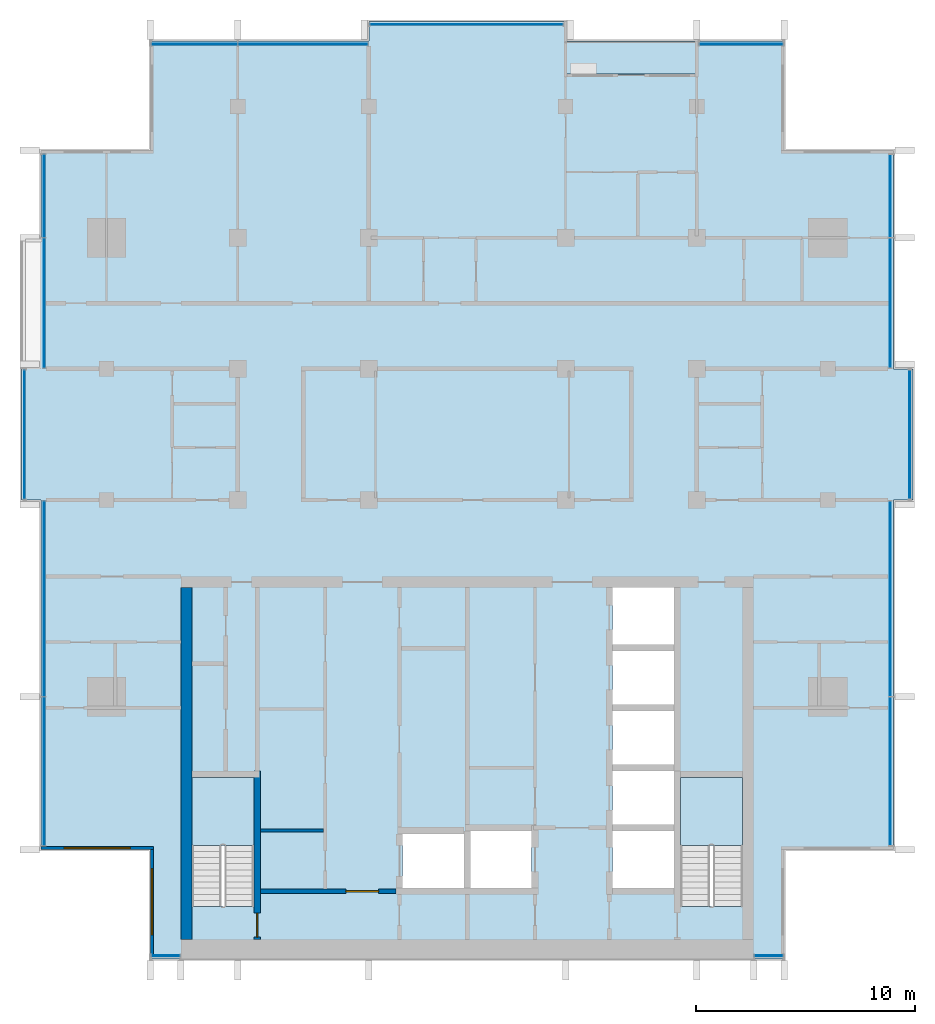
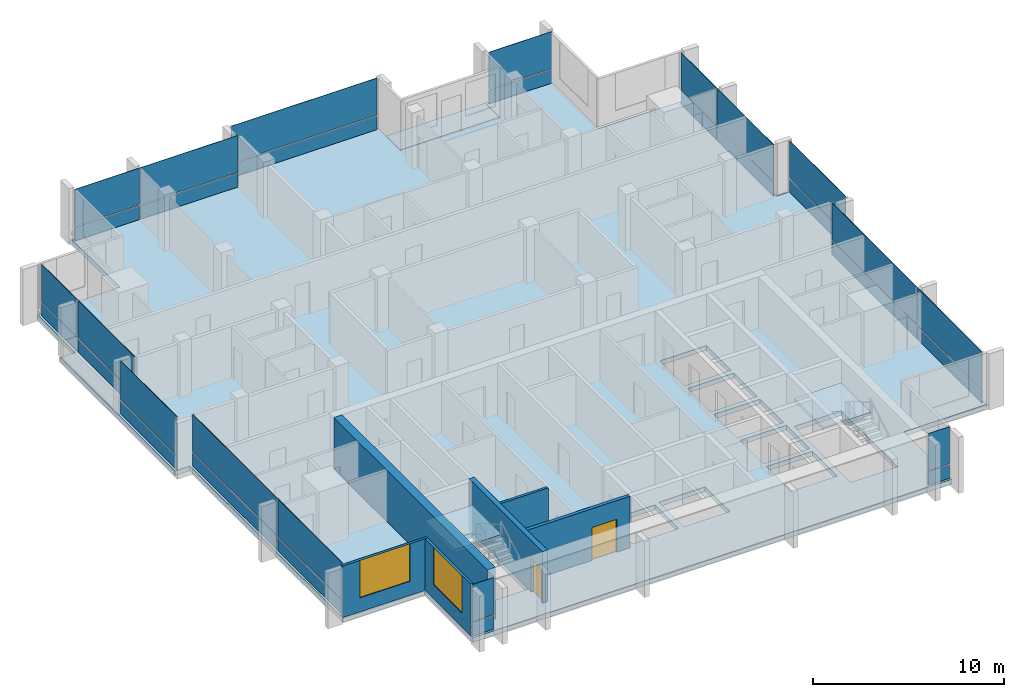
# One storey, part 6 of 16: 32 plates, 6 walls, 4 slabs, 2 doors, 2 windows, 4 openings, 13 elements without a shape of their own.
"""IFC4 building model written with IfcOpenShell, lengths in metres."""

from ifc_helpers import new_model, si_unit, direction, frame, frame_2d, origin, origin_2d, place, context, subcontext, project, spatial, polyline, rectangle, outline, extrude, material, layer, layer_set, type_object, element, fill, aggregate, save


model = new_model("IFC4")

# Units and contexts
model_context = context("Model", 3, precision=1e-05, world=origin(), true_north=direction((0.0, 1.0)))
body_context = subcontext(model_context, "Body", "Model", "MODEL_VIEW")
ifc_project = project(units=[si_unit("LENGTHUNIT", "METRE"), si_unit("AREAUNIT", "SQUARE_METRE"), si_unit("VOLUMEUNIT", "CUBIC_METRE"), si_unit("PLANEANGLEUNIT", "RADIAN"), si_unit("MASSUNIT", "GRAM", prefix="KILO")], contexts=[model_context])

# Site, building, storey
site_placement = place(None, origin())
site = spatial("IfcSite", under=ifc_project, at=site_placement, CompositionType="ELEMENT")
building_placement = place(site_placement, origin())
building = spatial("IfcBuilding", under=site, at=building_placement, Name="Finial Court Residences", CompositionType="ELEMENT")
storey_placement = place(building_placement, frame((0.0, 0.0, 262.699951171875)))
storey = spatial("IfcBuildingStorey", under=building, at=storey_placement, Name="L66", CompositionType="ELEMENT", Elevation=262.699951171875)

# Slab
ifc_material_1 = material(Name="Concrete C35/45", Category="concrete")
ifc_layer_1 = layer(ifc_material_1, 0.199951171875)
ifc_layer_set_1 = layer_set([ifc_layer_1], Name="Balcony slab, Concrete C35/45 200")
slab_type_1 = type_object("IfcSlabType", Name="Balcony slab, Concrete C35/45 200", PredefinedType="FLOOR", material=ifc_layer_set_1)
slab_1_placement = place(storey_placement, frame((0.0, 0.0, -0.199951171875)))
element("IfcSlab", 1, at=slab_1_placement, inside=storey, type_object=slab_type_1, Name="Balcony L66-N4", PredefinedType="FLOOR", context=body_context, shape_type="SweptSolid", body=[
    extrude(outline(polyline([(10.5, 15.0), (10.5, 16.5), (4.5, 16.5), (4.5, 15.0), (10.5, 15.0)])), origin(), (0.0, 0.0, 1.0), 0.199951171875),
])

# Curtain wall, plates
ifc_material_2 = material(Name="Bronze anodised aluminium", Category="aluminium")
curtain_wall_type = type_object("IfcCurtainWallType", Name="Unitised curtain wall, upper zones", PredefinedType="NOTDEFINED", material=ifc_material_2)
curtain_wall_1_placement = place(storey_placement, origin())
curtain_wall_1 = element("IfcCurtainWall", 2, at=curtain_wall_1_placement, inside=storey, type_object=curtain_wall_type, Name="E-L66-CW-N1", PredefinedType="NOTDEFINED")
ifc_layer_2 = layer(ifc_material_2, 0.035888671875)
ifc_layer_set_2 = layer_set([ifc_layer_2], Name="CW2 spandrel panel 36")
plate_type_1 = type_object("IfcPlateType", Name="CW2 spandrel panel 36", PredefinedType="CURTAIN_PANEL", material=ifc_layer_set_2)
plate_1_placement = place(storey_placement, frame((-12.485107421875, 16.35009765625, 0.0), z_axis=(0.0, 0.0, 1.0), x_axis=(1.0, 0.0, 0.0)))
plate_1 = element("IfcPlate", 3, at=plate_1_placement, type_object=plate_type_1, Name="CW2 spandrel 1.1", PredefinedType="CURTAIN_PANEL", context=body_context, shape_type="SweptSolid", body=[
    extrude(rectangle(XDim=3.909912109375, YDim=0.035888671875, at=origin_2d()), origin(), (0.0, 0.0, 1.0), 0.8701171875),
])
plate_2_placement = place(storey_placement, frame((-7.514892578125, 16.35009765625, 0.0), z_axis=(0.0, 0.0, 1.0), x_axis=(1.0, 0.0, 0.0)))
plate_2 = element("IfcPlate", 4, at=plate_2_placement, type_object=plate_type_1, Name="CW2 spandrel 2.1", PredefinedType="CURTAIN_PANEL", context=body_context, shape_type="SweptSolid", body=[
    extrude(rectangle(XDim=5.909912109375, YDim=0.035888671875, at=origin_2d()), origin(), (0.0, 0.0, 1.0), 0.8701171875),
])

# Curtain wall, plate
curtain_wall_2_placement = place(storey_placement, origin())
curtain_wall_2 = element("IfcCurtainWall", 5, at=curtain_wall_2_placement, inside=storey, type_object=curtain_wall_type, Name="E-L66-CW-N2", PredefinedType="NOTDEFINED")
plate_3_placement = place(storey_placement, frame((-0.03759765625, 17.25, 0.0), z_axis=(0.0, 0.0, 1.0), x_axis=(1.0, 0.0, 0.0)))
plate_3 = element("IfcPlate", 6, at=plate_3_placement, type_object=plate_type_1, Name="CW2 spandrel 1.1", PredefinedType="CURTAIN_PANEL", context=body_context, shape_type="SweptSolid", body=[
    extrude(rectangle(XDim=8.804931640625, YDim=0.035888671875, at=origin_2d()), origin(), (0.0, 0.0, 1.0), 0.8701171875),
])

curtain_wall_3_placement = place(storey_placement, origin())
curtain_wall_3 = element("IfcCurtainWall", 7, at=curtain_wall_3_placement, inside=storey, type_object=curtain_wall_type, Name="E-L66-CW-N3", PredefinedType="NOTDEFINED")
plate_4_placement = place(storey_placement, frame((12.53759765625, 16.35009765625, 0.0), z_axis=(0.0, 0.0, 1.0), x_axis=(1.0, 0.0, 0.0)))
plate_4 = element("IfcPlate", 8, at=plate_4_placement, type_object=plate_type_1, Name="CW2 spandrel 1.1", PredefinedType="CURTAIN_PANEL", context=body_context, shape_type="SweptSolid", body=[
    extrude(rectangle(XDim=3.804931640625, YDim=0.035888671875, at=origin_2d()), origin(), (0.0, 0.0, 1.0), 0.8701171875),
])

# Curtain wall, plates
curtain_wall_4_placement = place(storey_placement, origin())
curtain_wall_4 = element("IfcCurtainWall", 9, at=curtain_wall_4_placement, inside=storey, type_object=curtain_wall_type, Name="E-L66-CW-E4", PredefinedType="NOTDEFINED")
plate_5_placement = place(storey_placement, frame((19.35009765625, -16.909912109375, 0.0), z_axis=(0.0, 0.0, 1.0), x_axis=(0.0, 1.0, 0.0)))
plate_5 = element("IfcPlate", 10, at=plate_5_placement, type_object=plate_type_1, Name="CW2 spandrel 1.1", PredefinedType="CURTAIN_PANEL", context=body_context, shape_type="SweptSolid", body=[
    extrude(rectangle(XDim=6.760009765625, YDim=0.035888671875, at=origin_2d()), origin(), (0.0, 0.0, 1.0), 0.8701171875),
])
plate_6_placement = place(storey_placement, frame((19.35009765625, -9.014892578125, 0.0), z_axis=(0.0, 0.0, 1.0), x_axis=(0.0, 1.0, 0.0)))
plate_6 = element("IfcPlate", 11, at=plate_6_placement, type_object=plate_type_1, Name="CW2 spandrel 2.1", PredefinedType="CURTAIN_PANEL", context=body_context, shape_type="SweptSolid", body=[
    extrude(rectangle(XDim=8.909912109375, YDim=0.035888671875, at=origin_2d()), origin(), (0.0, 0.0, 1.0), 0.8701171875),
])

# Curtain wall, plate
curtain_wall_5_placement = place(storey_placement, origin())
curtain_wall_5 = element("IfcCurtainWall", 12, at=curtain_wall_5_placement, inside=storey, type_object=curtain_wall_type, Name="E-L66-CW-E5", PredefinedType="NOTDEFINED")
plate_7_placement = place(storey_placement, frame((20.25, -1.5, 0.0), z_axis=(0.0, 0.0, 1.0), x_axis=(0.0, 1.0, 0.0)))
plate_7 = element("IfcPlate", 13, at=plate_7_placement, type_object=plate_type_1, Name="CW2 spandrel 1.1", PredefinedType="CURTAIN_PANEL", context=body_context, shape_type="SweptSolid", body=[
    extrude(rectangle(XDim=5.8798828125, YDim=0.035888671875, at=origin_2d()), origin(), (0.0, 0.0, 1.0), 0.8701171875),
])

# Curtain wall, plates
curtain_wall_6_placement = place(storey_placement, origin())
curtain_wall_6 = element("IfcCurtainWall", 14, at=curtain_wall_6_placement, inside=storey, type_object=curtain_wall_type, Name="E-L66-CW-E6", PredefinedType="NOTDEFINED")
plate_8_placement = place(storey_placement, frame((19.35009765625, 4.514892578125, 0.0), z_axis=(0.0, 0.0, 1.0), x_axis=(0.0, 1.0, 0.0)))
plate_8 = element("IfcPlate", 15, at=plate_8_placement, type_object=plate_type_1, Name="CW2 spandrel 1.1", PredefinedType="CURTAIN_PANEL", context=body_context, shape_type="SweptSolid", body=[
    extrude(rectangle(XDim=5.909912109375, YDim=0.035888671875, at=origin_2d()), origin(), (0.0, 0.0, 1.0), 0.8701171875),
])
plate_9_placement = place(storey_placement, frame((19.35009765625, 9.409912109375, 0.0), z_axis=(0.0, 0.0, 1.0), x_axis=(0.0, 1.0, 0.0)))
plate_9 = element("IfcPlate", 16, at=plate_9_placement, type_object=plate_type_1, Name="CW2 spandrel 2.1", PredefinedType="CURTAIN_PANEL", context=body_context, shape_type="SweptSolid", body=[
    extrude(rectangle(XDim=3.760009765625, YDim=0.035888671875, at=origin_2d()), origin(), (0.0, 0.0, 1.0), 0.8701171875),
])

# Curtain wall, plate
curtain_wall_7_placement = place(storey_placement, origin())
curtain_wall_7 = element("IfcCurtainWall", 17, at=curtain_wall_7_placement, inside=storey, type_object=curtain_wall_type, Name="E-L66-CW-S7", PredefinedType="NOTDEFINED")
plate_10_placement = place(storey_placement, frame((-13.800048828125, -25.35009765625, 0.0), z_axis=(0.0, 0.0, 1.0), x_axis=(1.0, 0.0, 0.0)))
plate_10 = element("IfcPlate", 18, at=plate_10_placement, type_object=plate_type_1, Name="CW2 spandrel 1.1", PredefinedType="CURTAIN_PANEL", context=body_context, shape_type="SweptSolid", body=[
    extrude(rectangle(XDim=1.280029296875, YDim=0.035888671875, at=origin_2d()), origin(), (0.0, 0.0, 1.0), 0.8701171875),
])

curtain_wall_8_placement = place(storey_placement, origin())
curtain_wall_8 = element("IfcCurtainWall", 19, at=curtain_wall_8_placement, inside=storey, type_object=curtain_wall_type, Name="E-L66-CW-S8", PredefinedType="NOTDEFINED")
plate_11_placement = place(storey_placement, frame((13.800048828125, -25.35009765625, 0.0), z_axis=(0.0, 0.0, 1.0), x_axis=(1.0, 0.0, 0.0)))
plate_11 = element("IfcPlate", 20, at=plate_11_placement, type_object=plate_type_1, Name="CW2 spandrel 1.1", PredefinedType="CURTAIN_PANEL", context=body_context, shape_type="SweptSolid", body=[
    extrude(rectangle(XDim=1.280029296875, YDim=0.035888671875, at=origin_2d()), origin(), (0.0, 0.0, 1.0), 0.8701171875),
])

# Curtain wall, plates
curtain_wall_9_placement = place(storey_placement, origin())
curtain_wall_9 = element("IfcCurtainWall", 21, at=curtain_wall_9_placement, inside=storey, type_object=curtain_wall_type, Name="E-L66-CW-W9", PredefinedType="NOTDEFINED")
plate_12_placement = place(storey_placement, frame((-19.35009765625, -16.909912109375, 0.0), z_axis=(0.0, 0.0, 1.0), x_axis=(0.0, 1.0, 0.0)))
plate_12 = element("IfcPlate", 22, at=plate_12_placement, type_object=plate_type_1, Name="CW2 spandrel 1.1", PredefinedType="CURTAIN_PANEL", context=body_context, shape_type="SweptSolid", body=[
    extrude(rectangle(XDim=6.760009765625, YDim=0.035888671875, at=origin_2d()), origin(), (0.0, 0.0, 1.0), 0.8701171875),
])
plate_13_placement = place(storey_placement, frame((-19.35009765625, -9.014892578125, 0.0), z_axis=(0.0, 0.0, 1.0), x_axis=(0.0, 1.0, 0.0)))
plate_13 = element("IfcPlate", 23, at=plate_13_placement, type_object=plate_type_1, Name="CW2 spandrel 2.1", PredefinedType="CURTAIN_PANEL", context=body_context, shape_type="SweptSolid", body=[
    extrude(rectangle(XDim=8.909912109375, YDim=0.035888671875, at=origin_2d()), origin(), (0.0, 0.0, 1.0), 0.8701171875),
])

# Curtain wall, plate
curtain_wall_10_placement = place(storey_placement, origin())
curtain_wall_10 = element("IfcCurtainWall", 24, at=curtain_wall_10_placement, inside=storey, type_object=curtain_wall_type, Name="E-L66-CW-W10", PredefinedType="NOTDEFINED")
plate_14_placement = place(storey_placement, frame((-20.25, -1.5, 0.0), z_axis=(0.0, 0.0, 1.0), x_axis=(0.0, 1.0, 0.0)))
plate_14 = element("IfcPlate", 25, at=plate_14_placement, type_object=plate_type_1, Name="CW2 spandrel 1.1", PredefinedType="CURTAIN_PANEL", context=body_context, shape_type="SweptSolid", body=[
    extrude(rectangle(XDim=5.8798828125, YDim=0.035888671875, at=origin_2d()), origin(), (0.0, 0.0, 1.0), 0.8701171875),
])

# Curtain wall, plates
curtain_wall_11_placement = place(storey_placement, origin())
curtain_wall_11 = element("IfcCurtainWall", 26, at=curtain_wall_11_placement, inside=storey, type_object=curtain_wall_type, Name="E-L66-CW-W11", PredefinedType="NOTDEFINED")
plate_15_placement = place(storey_placement, frame((-19.35009765625, 4.514892578125, 0.0), z_axis=(0.0, 0.0, 1.0), x_axis=(0.0, 1.0, 0.0)))
plate_15 = element("IfcPlate", 27, at=plate_15_placement, type_object=plate_type_1, Name="CW2 spandrel 1.1", PredefinedType="CURTAIN_PANEL", context=body_context, shape_type="SweptSolid", body=[
    extrude(rectangle(XDim=5.909912109375, YDim=0.035888671875, at=origin_2d()), origin(), (0.0, 0.0, 1.0), 0.8701171875),
])
plate_16_placement = place(storey_placement, frame((-19.35009765625, 9.409912109375, 0.0), z_axis=(0.0, 0.0, 1.0), x_axis=(0.0, 1.0, 0.0)))
plate_16 = element("IfcPlate", 28, at=plate_16_placement, type_object=plate_type_1, Name="CW2 spandrel 2.1", PredefinedType="CURTAIN_PANEL", context=body_context, shape_type="SweptSolid", body=[
    extrude(rectangle(XDim=3.760009765625, YDim=0.035888671875, at=origin_2d()), origin(), (0.0, 0.0, 1.0), 0.8701171875),
])

# Plate
ifc_material_3 = material(Name="Clear low-e glass", Category="glass")
ifc_layer_3 = layer(ifc_material_3, 0.030029296875)
ifc_layer_set_3 = layer_set([ifc_layer_3], Name="CW2 vision glass 30")
plate_type_2 = type_object("IfcPlateType", Name="CW2 vision glass 30", PredefinedType="CURTAIN_PANEL", material=ifc_layer_set_3)
plate_17_placement = place(storey_placement, frame((-12.485107421875, 16.35009765625, 0.929931640625), z_axis=(0.0, 0.0, 1.0), x_axis=(1.0, 0.0, 0.0)))
plate_17 = element("IfcPlate", 29, at=plate_17_placement, type_object=plate_type_2, Name="CW2 glass 1.2", PredefinedType="CURTAIN_PANEL", context=body_context, shape_type="SweptSolid", body=[
    extrude(rectangle(XDim=3.909912109375, YDim=0.030029296875, at=origin_2d()), origin(), (0.0, 0.0, 1.0), 2.3701171875),
])

plate_18_placement = place(storey_placement, frame((-7.514892578125, 16.35009765625, 0.929931640625), z_axis=(0.0, 0.0, 1.0), x_axis=(1.0, 0.0, 0.0)))
plate_18 = element("IfcPlate", 30, at=plate_18_placement, type_object=plate_type_2, Name="CW2 glass 2.2", PredefinedType="CURTAIN_PANEL", context=body_context, shape_type="SweptSolid", body=[
    extrude(rectangle(XDim=5.909912109375, YDim=0.030029296875, at=origin_2d()), origin(), (0.0, 0.0, 1.0), 2.3701171875),
])

aggregate(curtain_wall_1, [plate_1, plate_17, plate_2, plate_18])

plate_19_placement = place(storey_placement, frame((-0.03759765625, 17.25, 0.929931640625), z_axis=(0.0, 0.0, 1.0), x_axis=(1.0, 0.0, 0.0)))
plate_19 = element("IfcPlate", 31, at=plate_19_placement, type_object=plate_type_2, Name="CW2 glass 1.2", PredefinedType="CURTAIN_PANEL", context=body_context, shape_type="SweptSolid", body=[
    extrude(rectangle(XDim=8.804931640625, YDim=0.030029296875, at=origin_2d()), origin(), (0.0, 0.0, 1.0), 2.3701171875),
])

aggregate(curtain_wall_2, [plate_3, plate_19])

plate_20_placement = place(storey_placement, frame((12.53759765625, 16.35009765625, 0.929931640625), z_axis=(0.0, 0.0, 1.0), x_axis=(1.0, 0.0, 0.0)))
plate_20 = element("IfcPlate", 32, at=plate_20_placement, type_object=plate_type_2, Name="CW2 glass 1.2", PredefinedType="CURTAIN_PANEL", context=body_context, shape_type="SweptSolid", body=[
    extrude(rectangle(XDim=3.804931640625, YDim=0.030029296875, at=origin_2d()), origin(), (0.0, 0.0, 1.0), 2.3701171875),
])

aggregate(curtain_wall_3, [plate_4, plate_20])

plate_21_placement = place(storey_placement, frame((19.35009765625, -16.909912109375, 0.929931640625), z_axis=(0.0, 0.0, 1.0), x_axis=(0.0, 1.0, 0.0)))
plate_21 = element("IfcPlate", 33, at=plate_21_placement, type_object=plate_type_2, Name="CW2 glass 1.2", PredefinedType="CURTAIN_PANEL", context=body_context, shape_type="SweptSolid", body=[
    extrude(rectangle(XDim=6.760009765625, YDim=0.030029296875, at=origin_2d()), origin(), (0.0, 0.0, 1.0), 2.3701171875),
])

plate_22_placement = place(storey_placement, frame((19.35009765625, -9.014892578125, 0.929931640625), z_axis=(0.0, 0.0, 1.0), x_axis=(0.0, 1.0, 0.0)))
plate_22 = element("IfcPlate", 34, at=plate_22_placement, type_object=plate_type_2, Name="CW2 glass 2.2", PredefinedType="CURTAIN_PANEL", context=body_context, shape_type="SweptSolid", body=[
    extrude(rectangle(XDim=8.909912109375, YDim=0.030029296875, at=origin_2d()), origin(), (0.0, 0.0, 1.0), 2.3701171875),
])

aggregate(curtain_wall_4, [plate_5, plate_21, plate_6, plate_22])

plate_23_placement = place(storey_placement, frame((20.25, -1.5, 0.929931640625), z_axis=(0.0, 0.0, 1.0), x_axis=(0.0, 1.0, 0.0)))
plate_23 = element("IfcPlate", 35, at=plate_23_placement, type_object=plate_type_2, Name="CW2 glass 1.2", PredefinedType="CURTAIN_PANEL", context=body_context, shape_type="SweptSolid", body=[
    extrude(rectangle(XDim=5.8798828125, YDim=0.030029296875, at=origin_2d()), origin(), (0.0, 0.0, 1.0), 2.3701171875),
])

aggregate(curtain_wall_5, [plate_7, plate_23])

plate_24_placement = place(storey_placement, frame((19.35009765625, 4.514892578125, 0.929931640625), z_axis=(0.0, 0.0, 1.0), x_axis=(0.0, 1.0, 0.0)))
plate_24 = element("IfcPlate", 36, at=plate_24_placement, type_object=plate_type_2, Name="CW2 glass 1.2", PredefinedType="CURTAIN_PANEL", context=body_context, shape_type="SweptSolid", body=[
    extrude(rectangle(XDim=5.909912109375, YDim=0.030029296875, at=origin_2d()), origin(), (0.0, 0.0, 1.0), 2.3701171875),
])

plate_25_placement = place(storey_placement, frame((19.35009765625, 9.409912109375, 0.929931640625), z_axis=(0.0, 0.0, 1.0), x_axis=(0.0, 1.0, 0.0)))
plate_25 = element("IfcPlate", 37, at=plate_25_placement, type_object=plate_type_2, Name="CW2 glass 2.2", PredefinedType="CURTAIN_PANEL", context=body_context, shape_type="SweptSolid", body=[
    extrude(rectangle(XDim=3.760009765625, YDim=0.030029296875, at=origin_2d()), origin(), (0.0, 0.0, 1.0), 2.3701171875),
])

aggregate(curtain_wall_6, [plate_8, plate_24, plate_9, plate_25])

plate_26_placement = place(storey_placement, frame((-13.800048828125, -25.35009765625, 0.929931640625), z_axis=(0.0, 0.0, 1.0), x_axis=(1.0, 0.0, 0.0)))
plate_26 = element("IfcPlate", 38, at=plate_26_placement, type_object=plate_type_2, Name="CW2 glass 1.2", PredefinedType="CURTAIN_PANEL", context=body_context, shape_type="SweptSolid", body=[
    extrude(rectangle(XDim=1.280029296875, YDim=0.030029296875, at=origin_2d()), origin(), (0.0, 0.0, 1.0), 2.3701171875),
])

aggregate(curtain_wall_7, [plate_10, plate_26])

plate_27_placement = place(storey_placement, frame((13.800048828125, -25.35009765625, 0.929931640625), z_axis=(0.0, 0.0, 1.0), x_axis=(1.0, 0.0, 0.0)))
plate_27 = element("IfcPlate", 39, at=plate_27_placement, type_object=plate_type_2, Name="CW2 glass 1.2", PredefinedType="CURTAIN_PANEL", context=body_context, shape_type="SweptSolid", body=[
    extrude(rectangle(XDim=1.280029296875, YDim=0.030029296875, at=origin_2d()), origin(), (0.0, 0.0, 1.0), 2.3701171875),
])

aggregate(curtain_wall_8, [plate_11, plate_27])

plate_28_placement = place(storey_placement, frame((-19.35009765625, -16.909912109375, 0.929931640625), z_axis=(0.0, 0.0, 1.0), x_axis=(0.0, 1.0, 0.0)))
plate_28 = element("IfcPlate", 40, at=plate_28_placement, type_object=plate_type_2, Name="CW2 glass 1.2", PredefinedType="CURTAIN_PANEL", context=body_context, shape_type="SweptSolid", body=[
    extrude(rectangle(XDim=6.760009765625, YDim=0.030029296875, at=origin_2d()), origin(), (0.0, 0.0, 1.0), 2.3701171875),
])

plate_29_placement = place(storey_placement, frame((-19.35009765625, -9.014892578125, 0.929931640625), z_axis=(0.0, 0.0, 1.0), x_axis=(0.0, 1.0, 0.0)))
plate_29 = element("IfcPlate", 41, at=plate_29_placement, type_object=plate_type_2, Name="CW2 glass 2.2", PredefinedType="CURTAIN_PANEL", context=body_context, shape_type="SweptSolid", body=[
    extrude(rectangle(XDim=8.909912109375, YDim=0.030029296875, at=origin_2d()), origin(), (0.0, 0.0, 1.0), 2.3701171875),
])

aggregate(curtain_wall_9, [plate_12, plate_28, plate_13, plate_29])

plate_30_placement = place(storey_placement, frame((-20.25, -1.5, 0.93017578125), z_axis=(0.0, 0.0, 1.0), x_axis=(0.0, 1.0, 0.0)))
plate_30 = element("IfcPlate", 42, at=plate_30_placement, type_object=plate_type_2, Name="CW2 glass 1.2", PredefinedType="CURTAIN_PANEL", context=body_context, shape_type="SweptSolid", body=[
    extrude(rectangle(XDim=5.8798828125, YDim=0.030029296875, at=origin_2d()), origin(), (0.0, 0.0, 1.0), 2.469970703125),
])

aggregate(curtain_wall_10, [plate_14, plate_30])

plate_31_placement = place(storey_placement, frame((-19.35009765625, 4.514892578125, 0.929931640625), z_axis=(0.0, 0.0, 1.0), x_axis=(0.0, 1.0, 0.0)))
plate_31 = element("IfcPlate", 43, at=plate_31_placement, type_object=plate_type_2, Name="CW2 glass 1.2", PredefinedType="CURTAIN_PANEL", context=body_context, shape_type="SweptSolid", body=[
    extrude(rectangle(XDim=5.909912109375, YDim=0.030029296875, at=origin_2d()), origin(), (0.0, 0.0, 1.0), 2.3701171875),
])

plate_32_placement = place(storey_placement, frame((-19.35009765625, 9.409912109375, 0.929931640625), z_axis=(0.0, 0.0, 1.0), x_axis=(0.0, 1.0, 0.0)))
plate_32 = element("IfcPlate", 44, at=plate_32_placement, type_object=plate_type_2, Name="CW2 glass 2.2", PredefinedType="CURTAIN_PANEL", context=body_context, shape_type="SweptSolid", body=[
    extrude(rectangle(XDim=3.760009765625, YDim=0.030029296875, at=origin_2d()), origin(), (0.0, 0.0, 1.0), 2.3701171875),
])

aggregate(curtain_wall_11, [plate_15, plate_31, plate_16, plate_32])

# Stair, slab
ifc_material_4 = material(Name="Concrete C50/60", Category="concrete")
stair_type = type_object("IfcStairType", Name="Exit stair 22 risers of 163.6 mm", PredefinedType="HALF_TURN_STAIR", material=ifc_material_4)
stair_1_placement = place(storey_placement, origin())
stair_1 = element("IfcStair", 45, at=stair_1_placement, inside=storey, type_object=stair_type, Name="L66 Exit stair ST-1", PredefinedType="HALF_TURN_STAIR")
ifc_layer_4 = layer(ifc_material_4, 0.199951171875)
ifc_layer_set_4 = layer_set([ifc_layer_4], Name="Exit stair landing")
slab_type_2 = type_object("IfcSlabType", Name="Exit stair landing", PredefinedType="LANDING", material=ifc_layer_set_4)
slab_2_placement = place(storey_placement, frame((0.0, 0.0, 1.60009765625)))
slab_2 = element("IfcSlab", 46, at=slab_2_placement, type_object=slab_type_2, Name="ST-1 landing 1", PredefinedType="LANDING", context=body_context, shape_type="SweptSolid", body=[
    extrude(outline(polyline([(-9.75, -20.300048828125), (-9.75, -17.199951171875), (-12.60009765625, -17.199951171875), (-12.60009765625, -20.300048828125), (-9.75, -20.300048828125)])), origin(), (0.0, 0.0, 1.0), 0.199951171875),
])
aggregate(stair_1, [slab_2])

stair_2_placement = place(storey_placement, origin())
stair_2 = element("IfcStair", 47, at=stair_2_placement, inside=storey, type_object=stair_type, Name="L66 Exit stair ST-2", PredefinedType="HALF_TURN_STAIR")
slab_3_placement = place(storey_placement, frame((0.0, 0.0, 1.60009765625)))
slab_3 = element("IfcSlab", 48, at=slab_3_placement, type_object=slab_type_2, Name="ST-2 landing 1", PredefinedType="LANDING", context=body_context, shape_type="SweptSolid", body=[
    extrude(outline(polyline([(12.60009765625, -20.300048828125), (12.60009765625, -17.199951171875), (9.75, -17.199951171875), (9.75, -20.300048828125), (12.60009765625, -20.300048828125)])), origin(), (0.0, 0.0, 1.0), 0.199951171875),
])
aggregate(stair_2, [slab_3])

# Slab
ifc_material_5 = material(Name="Concrete C40/50", Category="concrete")
ifc_layer_5 = layer(ifc_material_5, 0.300048828125)
ifc_layer_set_5 = layer_set([ifc_layer_5], Name="Flat plate slab 300 Concrete C40/50")
slab_type_3 = type_object("IfcSlabType", Name="Flat plate slab 300 Concrete C40/50", PredefinedType="FLOOR", material=ifc_layer_set_5)
slab_4_placement = place(storey_placement, frame((0.0, 0.0, -0.300048828125)))
element("IfcSlab", 49, at=slab_4_placement, inside=storey, type_object=slab_type_3, Name="S:SLAB:L66", PredefinedType="FLOOR", context=body_context, shape_type="SweptSolid", body=[
    extrude(outline(polyline([(-20.39990234375, -4.5), (-20.39990234375, 1.5), (-20.39990234375, 7.5), (-19.5, 7.5), (-19.5, 11.5), (-14.5, 11.5), (-14.5, 16.5), (-4.5, 16.5), (-4.5, 17.39990234375), (4.5, 17.39990234375), (4.5, 16.5), (4.5, 15.0), (10.5, 15.0), (10.5, 16.5), (14.5, 16.5), (14.5, 11.5), (19.5, 11.5), (19.5, 1.5), (20.39990234375, 1.5), (20.39990234375, -4.5), (19.5, -4.5), (19.5, -20.5), (14.5, -20.5), (14.5, -25.5), (-14.5, -25.5), (-14.5, -20.5), (-19.5, -20.5), (-19.5, -4.5), (-20.39990234375, -4.5)]), holes=[polyline([(-0.14990234375, -19.77001953125), (-2.949951171875, -19.77001953125), (-2.949951171875, -22.25), (-0.14990234375, -22.25), (-0.14990234375, -19.77001953125)]), polyline([(2.949951171875, -19.64990234375), (0.14990234375, -19.64990234375), (0.14990234375, -22.25), (2.949951171875, -22.25), (2.949951171875, -19.64990234375)]), polyline([(9.449951171875, -19.64990234375), (6.64990234375, -19.64990234375), (6.64990234375, -22.25), (9.449951171875, -22.25), (9.449951171875, -19.64990234375)]), polyline([(-12.60009765625, -17.199951171875), (-12.60009765625, -23.09912109375), (-9.75, -23.09912109375), (-9.75, -17.199951171875), (-12.60009765625, -17.199951171875)]), polyline([(9.75, -17.199951171875), (9.75, -23.09912109375), (12.60009765625, -23.09912109375), (12.60009765625, -17.199951171875), (9.75, -17.199951171875)]), polyline([(9.449951171875, -16.89990234375), (6.64990234375, -16.89990234375), (6.64990234375, -19.35009765625), (9.449951171875, -19.35009765625), (9.449951171875, -16.89990234375)]), polyline([(9.449951171875, -14.14990234375), (6.64990234375, -14.14990234375), (6.64990234375, -16.60009765625), (9.449951171875, -16.60009765625), (9.449951171875, -14.14990234375)]), polyline([(9.449951171875, -13.85009765625), (9.449951171875, -11.39990234375), (6.64990234375, -11.39990234375), (6.64990234375, -13.85009765625), (9.449951171875, -13.85009765625)]), polyline([(9.449951171875, -11.10009765625), (9.449951171875, -8.5), (6.64990234375, -8.5), (6.64990234375, -11.10009765625), (9.449951171875, -11.10009765625)])]), origin(), (0.0, 0.0, 1.0), 0.300048828125),
])

# Walls
ifc_layer_6 = layer(ifc_material_4, 0.5)
ifc_layer_set_6 = layer_set([ifc_layer_6], Name="Core outer wall 500 Concrete C50/60")
wall_type_1 = type_object("IfcWallType", Name="Core outer wall 500 Concrete C50/60", PredefinedType="SHEAR", material=ifc_layer_set_6)
wall_1_placement = place(storey_placement, frame((-12.85009765625, -24.60009765625, 0.0), z_axis=(0.0, 0.0, 1.0), x_axis=(0.0, 1.0, 0.0)))
element("IfcWall", 50, at=wall_1_placement, inside=storey, type_object=wall_type_1, Name="Core outer wall L66-03", PredefinedType="SHEAR", context=body_context, shape_type="SweptSolid", body=[
    extrude(rectangle(XDim=16.10009765625, YDim=0.5, at=frame_2d((8.050048828125, 0.0))), origin(), (0.0, 0.0, 1.0), 3.300048828125),
])
ifc_material_6 = material(Name="Fire-rated gypsum board partition")
ifc_layer_7 = layer(ifc_material_6, 0.14990234375)
ifc_layer_set_7 = layer_set([ifc_layer_7], Name="Core room partition 150 EI 60")
wall_type_2 = type_object("IfcWallType", Name="Core room partition 150 EI 60", PredefinedType="PARTITIONING", material=ifc_layer_set_7)
wall_2_placement = place(storey_placement, frame((-9.449951171875, -19.6201171875, 0.0), z_axis=(0.0, 0.0, 1.0), x_axis=(1.0, 0.0, 0.0)))
element("IfcWall", 51, at=wall_2_placement, inside=storey, type_object=wall_type_2, Name="Core partition L66-04", PredefinedType="PARTITIONING", context=body_context, shape_type="SweptSolid", body=[
    extrude(rectangle(XDim=2.875, YDim=0.14990234375, at=frame_2d((1.4375, 0.0))), origin(), (0.0, 0.0, 1.0), 3.300048828125),
])

# Wall, opening, door
ifc_layer_8 = layer(ifc_material_4, 0.300048828125)
ifc_layer_set_8 = layer_set([ifc_layer_8], Name="Lift shaft and stair wall 300 Concrete C50/60")
wall_type_3 = type_object("IfcWallType", Name="Lift shaft and stair wall 300 Concrete C50/60", PredefinedType="SHEAR", material=ifc_layer_set_8)
wall_3_placement = place(storey_placement, frame((-9.60009765625, -24.60009765625, 0.0), z_axis=(0.0, 0.0, 1.0), x_axis=(0.0, 1.0, 0.0)))
wall_3 = element("IfcWall", 52, at=wall_3_placement, inside=storey, type_object=wall_type_3, Name="Core wall L66-20", PredefinedType="SHEAR", context=body_context, shape_type="SweptSolid", body=[
    extrude(rectangle(XDim=7.7001953125, YDim=0.300048828125, at=frame_2d((3.85009765625, 0.0))), origin(), (0.0, 0.0, 1.0), 3.300048828125),
])
opening_1_placement = place(wall_3_placement, frame((0.10009765625, 0.0, 0.0)))
opening_1 = element("IfcOpeningElement", 53, at=opening_1_placement, cuts=wall_3, Name="Opening L66-C19", PredefinedType="OPENING", context=body_context, shape_type="SweptSolid", body=[
    extrude(rectangle(XDim=1.10009765625, YDim=2.10009765625, at=frame_2d((0.550048828125, 1.050048828125))), frame((0.0, 0.159912109375, 0.0), z_axis=(0.0, -1.0, 0.0), x_axis=(1.0, 0.0, 0.0)), (0.0, 0.0, 1.0), 0.320068359375),
])
ifc_material_7 = material(Name="Steel fire door", Category="steel")
door_type_1 = type_object("IfcDoorType", Name="Stair door 1100 x 2100 EI 90", OperationType="NOTDEFINED", PredefinedType="DOOR", material=ifc_material_7)
door_1_placement = place(opening_1_placement, origin())
door_1 = element("IfcDoor", 54, at=door_1_placement, inside=storey, type_object=door_type_1, Name="Stair door L66-C19", OperationType="SINGLE_SWING_LEFT", OverallHeight=2.10009765625, OverallWidth=1.10009765625, PredefinedType="DOOR", context=body_context, shape_type="SweptSolid", body=[
    extrude(rectangle(XDim=1.10009765625, YDim=2.10009765625, at=frame_2d((0.550048828125, 1.050048828125))), frame((0.0, 0.02490234375, 0.0), z_axis=(0.0, -1.0, 0.0), x_axis=(1.0, 0.0, 0.0)), (0.0, 0.0, 1.0), 0.050048828125),
])
fill(opening_1, door_1)

# Wall, opening, window
ifc_material_8 = material(Name="Natural limestone", Category="masonry")
ifc_layer_9 = layer(ifc_material_8, 0.14990234375)
ifc_layer_set_9 = layer_set([ifc_layer_9], Name="Limestone clad wall 150")
wall_type_4 = type_object("IfcWallType", Name="Limestone clad wall 150", PredefinedType="SOLIDWALL", material=ifc_layer_set_9)
wall_4_placement = place(storey_placement, frame((-14.425048828125, -25.262451171875, 0.0), z_axis=(0.0, 0.0, 1.0), x_axis=(0.0, 1.0, 0.0)))
wall_4 = element("IfcWall", 55, at=wall_4_placement, inside=storey, type_object=wall_type_4, Name="E-L66-NWW12", PredefinedType="SOLIDWALL", context=body_context, shape_type="SweptSolid", body=[
    extrude(rectangle(XDim=4.762451171875, YDim=0.14990234375, at=frame_2d((2.38134765625, 0.0))), origin(), (0.0, 0.0, 1.0), 3.300048828125),
])
opening_2_placement = place(wall_4_placement, frame((0.881103515625, 0.0, 0.89990234375)))
opening_2 = element("IfcOpeningElement", 56, at=opening_2_placement, cuts=wall_4, Name="Opening WE66-01", PredefinedType="OPENING", context=body_context, shape_type="SweptSolid", body=[
    extrude(rectangle(XDim=3.0, YDim=2.39990234375, at=frame_2d((1.5, 1.199951171875))), frame((0.0, 0.0849609375, 0.0), z_axis=(0.0, -1.0, 0.0), x_axis=(1.0, 0.0, 0.0)), (0.0, 0.0, 1.0), 0.169921875),
])
window_type = type_object("IfcWindowType", Name="Corner window 3000 x 2400", PartitioningType="SINGLE_PANEL", PredefinedType="WINDOW", material=ifc_material_3)
window_1_placement = place(opening_2_placement, origin())
window_1 = element("IfcWindow", 57, at=window_1_placement, inside=storey, type_object=window_type, Name="E-L66-NWW12-W1", OverallHeight=2.39990234375, OverallWidth=3.0, PartitioningType="SINGLE_PANEL", PredefinedType="WINDOW", context=body_context, shape_type="SweptSolid", body=[
    extrude(rectangle(XDim=3.0, YDim=2.39990234375, at=frame_2d((1.5, 1.199951171875))), frame((0.0, 0.030029296875, 0.0), z_axis=(0.0, -1.0, 0.0), x_axis=(1.0, 0.0, 0.0)), (0.0, 0.0, 1.0), 0.06005859375),
])
fill(opening_2, window_1)

wall_5_placement = place(storey_placement, frame((-14.35009765625, -20.425048828125, 0.0), z_axis=(0.0, 0.0, 1.0), x_axis=(-1.0, 0.0, 0.0)))
wall_5 = element("IfcWall", 58, at=wall_5_placement, inside=storey, type_object=wall_type_4, Name="E-L66-NWS13", PredefinedType="SOLIDWALL", context=body_context, shape_type="SweptSolid", body=[
    extrude(rectangle(XDim=5.14990234375, YDim=0.14990234375, at=frame_2d((2.574951171875, 0.0))), origin(), (0.0, 0.0, 1.0), 3.300048828125),
])
opening_3_placement = place(wall_5_placement, frame((1.074951171875, 0.0, 0.89990234375)))
opening_3 = element("IfcOpeningElement", 59, at=opening_3_placement, cuts=wall_5, Name="Opening WE66-02", PredefinedType="OPENING", context=body_context, shape_type="SweptSolid", body=[
    extrude(rectangle(XDim=3.0, YDim=2.39990234375, at=frame_2d((1.5, 1.199951171875))), frame((0.0, 0.0849609375, 0.0), z_axis=(0.0, -1.0, 0.0), x_axis=(1.0, 0.0, 0.0)), (0.0, 0.0, 1.0), 0.169921875),
])
window_2_placement = place(opening_3_placement, origin())
window_2 = element("IfcWindow", 60, at=window_2_placement, inside=storey, type_object=window_type, Name="E-L66-NWS13-W1", OverallHeight=2.39990234375, OverallWidth=3.0, PartitioningType="SINGLE_PANEL", PredefinedType="WINDOW", context=body_context, shape_type="SweptSolid", body=[
    extrude(rectangle(XDim=3.0, YDim=2.39990234375, at=frame_2d((1.5, 1.199951171875))), frame((0.0, 0.030029296875, 0.0), z_axis=(0.0, -1.0, 0.0), x_axis=(1.0, 0.0, 0.0)), (0.0, 0.0, 1.0), 0.06005859375),
])
fill(opening_3, window_2)

# Wall, opening, door
ifc_layer_10 = layer(ifc_material_6, 0.199951171875)
ifc_layer_set_10 = layer_set([ifc_layer_10], Name="Stair passage wall 200 EI 180")
wall_type_5 = type_object("IfcWallType", Name="Stair passage wall 200 EI 180", PredefinedType="PARTITIONING", material=ifc_layer_set_10)
wall_6_placement = place(storey_placement, frame((-3.25, -22.39990234375, 0.0), z_axis=(0.0, 0.0, 1.0), x_axis=(-1.0, 0.0, 0.0)))
wall_6 = element("IfcWall", 61, at=wall_6_placement, inside=storey, type_object=wall_type_5, Name="Core partition L66-01", PredefinedType="PARTITIONING", context=body_context, shape_type="SweptSolid", body=[
    extrude(rectangle(XDim=6.199951171875, YDim=0.199951171875, at=frame_2d((3.10009765625, 0.0))), origin(), (0.0, 0.0, 1.0), 3.300048828125),
])
opening_4_placement = place(wall_6_placement, frame((0.800048828125, 0.0, 0.0)))
opening_4 = element("IfcOpeningElement", 62, at=opening_4_placement, cuts=wall_6, Name="Opening L66-C03", PredefinedType="OPENING", context=body_context, shape_type="SweptSolid", body=[
    extrude(rectangle(XDim=1.5, YDim=2.10009765625, at=frame_2d((0.75, 1.050048828125))), frame((0.0, 0.10986328125, 0.0), z_axis=(0.0, -1.0, 0.0), x_axis=(1.0, 0.0, 0.0)), (0.0, 0.0, 1.0), 0.219970703125),
])
door_type_2 = type_object("IfcDoorType", Name="Lift lobby door 1500 x 2100 EI 60", OperationType="DOUBLE_DOOR_SINGLE_SWING", PredefinedType="DOOR", material=ifc_material_7)
door_2_placement = place(opening_4_placement, origin())
door_2 = element("IfcDoor", 63, at=door_2_placement, inside=storey, type_object=door_type_2, Name="Lift lobby door L66-C03", OperationType="DOUBLE_DOOR_SINGLE_SWING", OverallHeight=2.10009765625, OverallWidth=1.5, PredefinedType="DOOR", context=body_context, shape_type="SweptSolid", body=[
    extrude(rectangle(XDim=1.5, YDim=2.10009765625, at=frame_2d((0.75, 1.050048828125))), frame((0.0, 0.02490234375, 0.0), z_axis=(0.0, -1.0, 0.0), x_axis=(1.0, 0.0, 0.0)), (0.0, 0.0, 1.0), 0.050048828125),
])
fill(opening_4, door_2)

save(model, "model.ifc")
